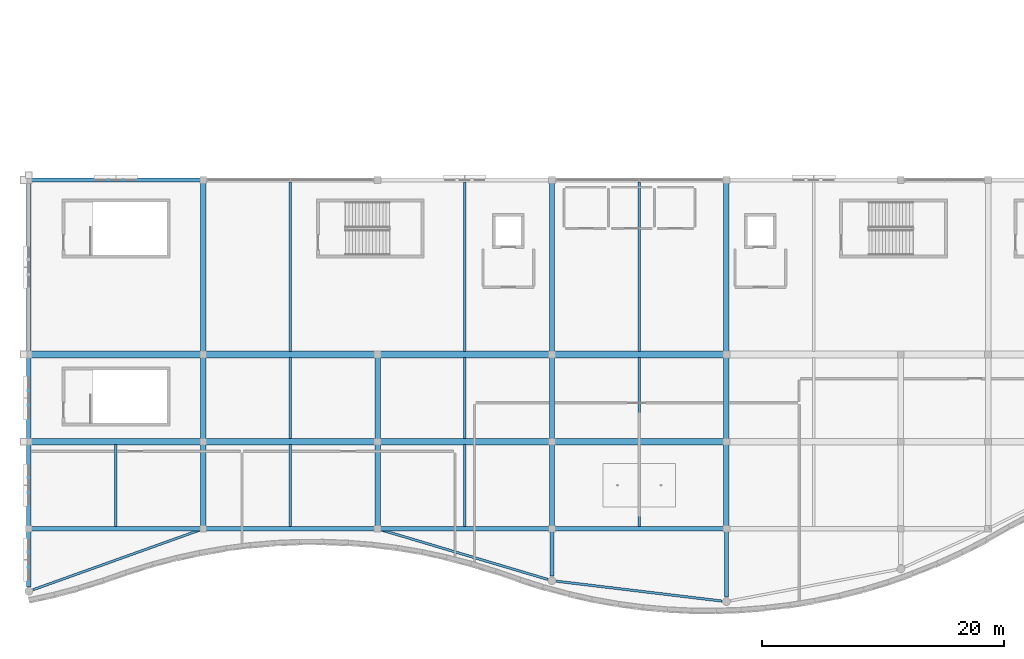
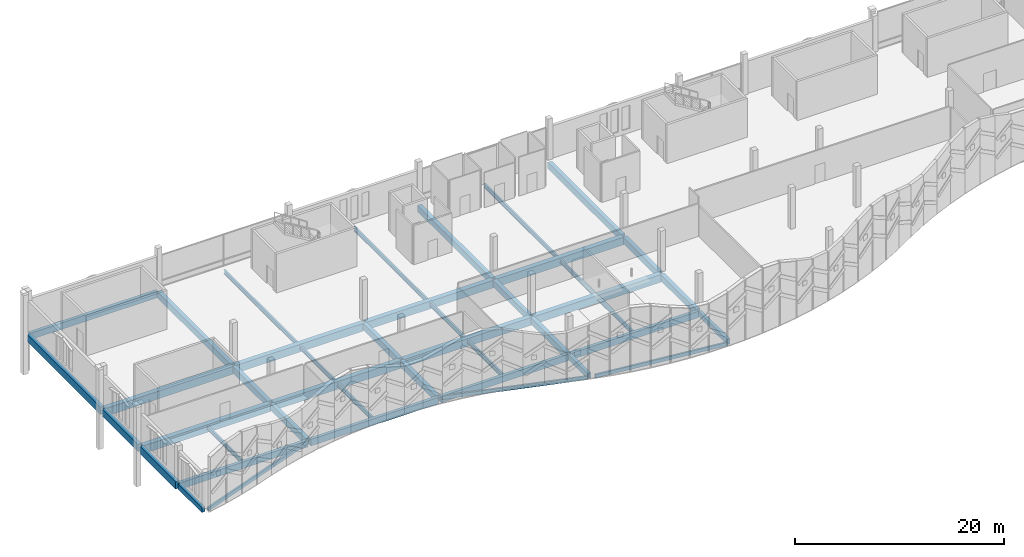
# One storey, part 14 of 116: 43 beams.
"""IFC4 building model written with IfcOpenShell, lengths in metres."""

from ifc_helpers import new_model, si_unit, direction, frame, origin, origin_2d, place, context, subcontext, project, spatial, rectangle, hollow_rectangle, i_section, extrude, material, material_profile, profile_set, type_object, element, save


model = new_model("IFC4")

# Units and contexts
model_context = context("Model", 3, precision=1e-05, world=origin(), true_north=direction((0.0, 1.0)))
body_context = subcontext(model_context, "Body", "Model", "MODEL_VIEW")
ifc_project = project(units=[si_unit("LENGTHUNIT", "METRE"), si_unit("AREAUNIT", "SQUARE_METRE"), si_unit("VOLUMEUNIT", "CUBIC_METRE"), si_unit("PLANEANGLEUNIT", "RADIAN"), si_unit("MASSUNIT", "GRAM", prefix="KILO")], contexts=[model_context])

# Site, building, storey
site_placement = place(None, origin())
site = spatial("IfcSite", under=ifc_project, at=site_placement, CompositionType="ELEMENT")
building_placement = place(site_placement, origin())
building = spatial("IfcBuilding", under=site, at=building_placement, Name="Cendralis Lancet Convention Centre", CompositionType="ELEMENT")
storey_placement = place(building_placement, frame((0.0, 0.0, 15.0)))
storey = spatial("IfcBuildingStorey", under=building, at=storey_placement, Name="L03", CompositionType="ELEMENT", Elevation=15.0)

# Beams
ifc_material_1 = material(Name="Concrete G40 (C40/50)", Category="concrete")
ifc_material_profile_1 = material_profile(ifc_material_1, rectangle(XDim=0.550048828125, YDim=0.89990234375, at=origin_2d()), Name="RCB 550x900")
ifc_profile_set_1 = profile_set([ifc_material_profile_1], Name="Concrete G40 (C40/50)")
beam_type_1 = type_object("IfcBeamType", Name="STR-BM-BG06", PredefinedType="BEAM", material=ifc_profile_set_1)
beam_1_placement = place(storey_placement, frame((0.14990234375, 14.39990234375, -0.7099609375), z_axis=(1.0, 0.0, 0.0), x_axis=(0.0, 1.0, 0.0)))
element("IfcBeam", 1, at=beam_1_placement, inside=storey, type_object=beam_type_1, Name="L03 Beam BG06 #0902", PredefinedType="BEAM", context=body_context, shape_type="SweptSolid", body=[
    extrude(rectangle(XDim=0.550048828125, YDim=0.89990234375, at=origin_2d()), origin(), (0.0, 0.0, 1.0), 14.10009765625),
])
beam_2_placement = place(storey_placement, frame((14.550048828125, 14.39990234375, -0.7099609375), z_axis=(1.0, 0.0, 0.0), x_axis=(0.0, 1.0, 0.0)))
element("IfcBeam", 2, at=beam_2_placement, inside=storey, type_object=beam_type_1, Name="L03 Beam BG06 #0903", PredefinedType="BEAM", context=body_context, shape_type="SweptSolid", body=[
    extrude(rectangle(XDim=0.550048828125, YDim=0.89990234375, at=origin_2d()), origin(), (0.0, 0.0, 1.0), 14.099853515625),
])
beam_3_placement = place(storey_placement, frame((28.949951171875, 14.39990234375, -0.7099609375), z_axis=(1.0, 0.0, 0.0), x_axis=(0.0, 1.0, 0.0)))
element("IfcBeam", 3, at=beam_3_placement, inside=storey, type_object=beam_type_1, Name="L03 Beam BG06 #0904", PredefinedType="BEAM", context=body_context, shape_type="SweptSolid", body=[
    extrude(rectangle(XDim=0.550048828125, YDim=0.89990234375, at=origin_2d()), origin(), (0.0, 0.0, 1.0), 14.10009765625),
])
beam_4_placement = place(storey_placement, frame((43.35009765625, 14.39990234375, -0.7099609375), z_axis=(1.0, 0.0, 0.0), x_axis=(0.0, 1.0, 0.0)))
element("IfcBeam", 4, at=beam_4_placement, inside=storey, type_object=beam_type_1, Name="L03 Beam BG06 #0905", PredefinedType="BEAM", context=body_context, shape_type="SweptSolid", body=[
    extrude(rectangle(XDim=0.550048828125, YDim=0.89990234375, at=origin_2d()), origin(), (0.0, 0.0, 1.0), 14.099853515625),
])
beam_5_placement = place(storey_placement, frame((0.14990234375, 21.60009765625, -0.7099609375), z_axis=(1.0, 0.0, 0.0), x_axis=(0.0, 1.0, 0.0)))
element("IfcBeam", 5, at=beam_5_placement, inside=storey, type_object=beam_type_1, Name="L03 Beam BG06 #0912", PredefinedType="BEAM", context=body_context, shape_type="SweptSolid", body=[
    extrude(rectangle(XDim=0.550048828125, YDim=0.89990234375, at=origin_2d()), origin(), (0.0, 0.0, 1.0), 14.10009765625),
])
beam_6_placement = place(storey_placement, frame((14.550048828125, 21.60009765625, -0.7099609375), z_axis=(1.0, 0.0, 0.0), x_axis=(0.0, 1.0, 0.0)))
element("IfcBeam", 6, at=beam_6_placement, inside=storey, type_object=beam_type_1, Name="L03 Beam BG06 #0913", PredefinedType="BEAM", context=body_context, shape_type="SweptSolid", body=[
    extrude(rectangle(XDim=0.550048828125, YDim=0.89990234375, at=origin_2d()), origin(), (0.0, 0.0, 1.0), 14.099853515625),
])
beam_7_placement = place(storey_placement, frame((28.949951171875, 21.60009765625, -0.7099609375), z_axis=(1.0, 0.0, 0.0), x_axis=(0.0, 1.0, 0.0)))
element("IfcBeam", 7, at=beam_7_placement, inside=storey, type_object=beam_type_1, Name="L03 Beam BG06 #0914", PredefinedType="BEAM", context=body_context, shape_type="SweptSolid", body=[
    extrude(rectangle(XDim=0.550048828125, YDim=0.89990234375, at=origin_2d()), origin(), (0.0, 0.0, 1.0), 14.10009765625),
])
beam_8_placement = place(storey_placement, frame((43.35009765625, 21.60009765625, -0.7099609375), z_axis=(1.0, 0.0, 0.0), x_axis=(0.0, 1.0, 0.0)))
element("IfcBeam", 8, at=beam_8_placement, inside=storey, type_object=beam_type_1, Name="L03 Beam BG06 #0915", PredefinedType="BEAM", context=body_context, shape_type="SweptSolid", body=[
    extrude(rectangle(XDim=0.550048828125, YDim=0.89990234375, at=origin_2d()), origin(), (0.0, 0.0, 1.0), 14.099853515625),
])
ifc_material_2 = material(Name="Concrete G35 (C35/45)", Category="concrete")
ifc_material_profile_2 = material_profile(ifc_material_2, rectangle(XDim=0.449951171875, YDim=0.75, at=origin_2d()), Name="RCB 450x750")
ifc_profile_set_2 = profile_set([ifc_material_profile_2], Name="Concrete G35 (C35/45)")
beam_type_2 = type_object("IfcBeamType", Name="STR-BM-BG11", PredefinedType="BEAM", material=ifc_profile_set_2)
beam_9_placement = place(storey_placement, frame((14.39990234375, 7.3798828125, -0.635009765625), z_axis=(0.0, 1.0, 0.0), x_axis=(-1.0, 0.0, 0.0)))
element("IfcBeam", 9, at=beam_9_placement, inside=storey, type_object=beam_type_2, Name="L03 Beam BG11 #0935", PredefinedType="BEAM", context=body_context, shape_type="SweptSolid", body=[
    extrude(rectangle(XDim=0.449951171875, YDim=0.75, at=origin_2d()), origin(), (0.0, 0.0, 1.0), 6.840087890625),
])
beam_10_placement = place(storey_placement, frame((14.39990234375, 14.580078125, -0.635009765625), z_axis=(0.0, 1.0, 0.0), x_axis=(-1.0, 0.0, 0.0)))
element("IfcBeam", 10, at=beam_10_placement, inside=storey, type_object=beam_type_2, Name="L03 Beam BG11 #0936", PredefinedType="BEAM", context=body_context, shape_type="SweptSolid", body=[
    extrude(rectangle(XDim=0.449951171875, YDim=0.75, at=origin_2d()), origin(), (0.0, 0.0, 1.0), 6.83984375),
])
beam_11_placement = place(storey_placement, frame((14.39990234375, 21.780029296875, -0.635009765625), z_axis=(0.0, 1.0, 0.0), x_axis=(-1.0, 0.0, 0.0)))
element("IfcBeam", 11, at=beam_11_placement, inside=storey, type_object=beam_type_2, Name="L03 Beam BG11 #0937", PredefinedType="BEAM", context=body_context, shape_type="SweptSolid", body=[
    extrude(rectangle(XDim=0.449951171875, YDim=0.75, at=origin_2d()), origin(), (0.0, 0.0, 1.0), 14.0400390625),
])
beam_12_placement = place(storey_placement, frame((28.800048828125, 7.3798828125, -0.635009765625), z_axis=(0.0, 1.0, 0.0), x_axis=(-1.0, 0.0, 0.0)))
element("IfcBeam", 12, at=beam_12_placement, inside=storey, type_object=beam_type_2, Name="L03 Beam BG11 #0938", PredefinedType="BEAM", context=body_context, shape_type="SweptSolid", body=[
    extrude(rectangle(XDim=0.449951171875, YDim=0.75, at=origin_2d()), origin(), (0.0, 0.0, 1.0), 6.840087890625),
])
beam_13_placement = place(storey_placement, frame((28.800048828125, 14.580078125, -0.635009765625), z_axis=(0.0, 1.0, 0.0), x_axis=(-1.0, 0.0, 0.0)))
element("IfcBeam", 13, at=beam_13_placement, inside=storey, type_object=beam_type_2, Name="L03 Beam BG11 #0939", PredefinedType="BEAM", context=body_context, shape_type="SweptSolid", body=[
    extrude(rectangle(XDim=0.449951171875, YDim=0.75, at=origin_2d()), origin(), (0.0, 0.0, 1.0), 6.83984375),
])
beam_14_placement = place(storey_placement, frame((43.199951171875, 7.3798828125, -0.635009765625), z_axis=(0.0, 1.0, 0.0), x_axis=(-1.0, 0.0, 0.0)))
element("IfcBeam", 14, at=beam_14_placement, inside=storey, type_object=beam_type_2, Name="L03 Beam BG11 #0940", PredefinedType="BEAM", context=body_context, shape_type="SweptSolid", body=[
    extrude(rectangle(XDim=0.449951171875, YDim=0.75, at=origin_2d()), origin(), (0.0, 0.0, 1.0), 6.840087890625),
])
beam_15_placement = place(storey_placement, frame((43.199951171875, 14.580078125, -0.635009765625), z_axis=(0.0, 1.0, 0.0), x_axis=(-1.0, 0.0, 0.0)))
element("IfcBeam", 15, at=beam_15_placement, inside=storey, type_object=beam_type_2, Name="L03 Beam BG11 #0941", PredefinedType="BEAM", context=body_context, shape_type="SweptSolid", body=[
    extrude(rectangle(XDim=0.449951171875, YDim=0.75, at=origin_2d()), origin(), (0.0, 0.0, 1.0), 6.83984375),
])
beam_16_placement = place(storey_placement, frame((43.199951171875, 21.780029296875, -0.635009765625), z_axis=(0.0, 1.0, 0.0), x_axis=(-1.0, 0.0, 0.0)))
element("IfcBeam", 16, at=beam_16_placement, inside=storey, type_object=beam_type_2, Name="L03 Beam BG11 #0942", PredefinedType="BEAM", context=body_context, shape_type="SweptSolid", body=[
    extrude(rectangle(XDim=0.449951171875, YDim=0.75, at=origin_2d()), origin(), (0.0, 0.0, 1.0), 14.0400390625),
])
beam_17_placement = place(storey_placement, frame((57.60009765625, 7.3798828125, -0.635009765625), z_axis=(0.0, 1.0, 0.0), x_axis=(-1.0, 0.0, 0.0)))
element("IfcBeam", 17, at=beam_17_placement, inside=storey, type_object=beam_type_2, Name="L03 Beam BG11 #0943", PredefinedType="BEAM", context=body_context, shape_type="SweptSolid", body=[
    extrude(rectangle(XDim=0.449951171875, YDim=0.75, at=origin_2d()), origin(), (0.0, 0.0, 1.0), 6.840087890625),
])
beam_18_placement = place(storey_placement, frame((57.60009765625, 14.580078125, -0.635009765625), z_axis=(0.0, 1.0, 0.0), x_axis=(-1.0, 0.0, 0.0)))
element("IfcBeam", 18, at=beam_18_placement, inside=storey, type_object=beam_type_2, Name="L03 Beam BG11 #0944", PredefinedType="BEAM", context=body_context, shape_type="SweptSolid", body=[
    extrude(rectangle(XDim=0.449951171875, YDim=0.75, at=origin_2d()), origin(), (0.0, 0.0, 1.0), 6.83984375),
])
beam_19_placement = place(storey_placement, frame((57.60009765625, 21.780029296875, -0.635009765625), z_axis=(0.0, 1.0, 0.0), x_axis=(-1.0, 0.0, 0.0)))
element("IfcBeam", 19, at=beam_19_placement, inside=storey, type_object=beam_type_2, Name="L03 Beam BG11 #0945", PredefinedType="BEAM", context=body_context, shape_type="SweptSolid", body=[
    extrude(rectangle(XDim=0.449951171875, YDim=0.75, at=origin_2d()), origin(), (0.0, 0.0, 1.0), 14.0400390625),
])
ifc_material_profile_3 = material_profile(ifc_material_2, rectangle(XDim=0.35009765625, YDim=0.60009765625, at=origin_2d()), Name="RCB 350x600")
ifc_profile_set_3 = profile_set([ifc_material_profile_3], Name="Concrete G35 (C35/45)")
beam_type_3 = type_object("IfcBeamType", Name="STR-BM-BG16", PredefinedType="BEAM", material=ifc_profile_set_3)
beam_20_placement = place(storey_placement, frame((0.0, 2.42041015625, -0.56005859375), z_axis=(0.0, 1.0, 0.0), x_axis=(-1.0, 0.0, 0.0)))
element("IfcBeam", 20, at=beam_20_placement, inside=storey, type_object=beam_type_3, Name="L03 Beam BG16 #1101", PredefinedType="BEAM", context=body_context, shape_type="SweptSolid", body=[
    extrude(rectangle(XDim=0.35009765625, YDim=0.60009765625, at=origin_2d()), origin(), (0.0, 0.0, 1.0), 4.599609375),
])
beam_21_placement = place(storey_placement, frame((43.199951171875, 3.296630859375, -0.56005859375), z_axis=(0.0, 1.0, 0.0), x_axis=(-1.0, 0.0, 0.0)))
element("IfcBeam", 21, at=beam_21_placement, inside=storey, type_object=beam_type_3, Name="L03 Beam BG16 #1102", PredefinedType="BEAM", context=body_context, shape_type="SweptSolid", body=[
    extrude(rectangle(XDim=0.35009765625, YDim=0.60009765625, at=origin_2d()), origin(), (0.0, 0.0, 1.0), 3.723388671875),
])
beam_22_placement = place(storey_placement, frame((57.60009765625, 1.570068359375, -0.56005859375), z_axis=(0.0, 1.0, 0.0), x_axis=(-1.0, 0.0, 0.0)))
element("IfcBeam", 22, at=beam_22_placement, inside=storey, type_object=beam_type_3, Name="L03 Beam BG16 #1103", PredefinedType="BEAM", context=body_context, shape_type="SweptSolid", body=[
    extrude(rectangle(XDim=0.35009765625, YDim=0.60009765625, at=origin_2d()), origin(), (0.0, 0.0, 1.0), 5.449951171875),
])
ifc_material_3 = material(Name="Steel S355", Category="steel")
ifc_material_profile_4 = material_profile(ifc_material_3, i_section(OverallWidth=0.199951171875, OverallDepth=0.5, WebThickness=0.01025390625, FlangeThickness=0.01611328125, FilletRadius=0.02099609375, at=origin_2d()), Name="IPE 500")
ifc_profile_set_4 = profile_set([ifc_material_profile_4], Name="Steel S355")
beam_type_4 = type_object("IfcBeamType", Name="STR-JS-BJ06", PredefinedType="JOIST", material=ifc_profile_set_4)
for number, where, z_axis, x_axis, name in (
    (23, (7.199951171875, 7.375, -0.510009765625), (0.0, 1.0, 0.0), (-1.0, 0.0, 0.0), "L03 Beam BJ06 #0959"),
    (24, (21.60009765625, 7.375, -0.510009765625), (0.0, 1.0, 0.0), (-1.0, 0.0, 0.0), "L03 Beam BJ06 #0960"),
):
    element("IfcBeam", number, at=place(storey_placement, frame(where, z_axis=z_axis, x_axis=x_axis)), inside=storey, type_object=beam_type_4, Name=name, PredefinedType="JOIST", context=body_context, shape_type="SweptSolid", body=[
        extrude(i_section(OverallWidth=0.199951171875, OverallDepth=0.5, WebThickness=0.01025390625, FlangeThickness=0.01611328125, FilletRadius=0.02099609375, at=origin_2d()), origin(), (0.0, 0.0, 1.0), 6.77490234375),
    ])
beam_23_placement = place(storey_placement, frame((21.60009765625, 14.64990234375, -0.510009765625), z_axis=(0.0, 1.0, 0.0), x_axis=(-1.0, 0.0, 0.0)))
element("IfcBeam", 25, at=beam_23_placement, inside=storey, type_object=beam_type_4, Name="L03 Beam BJ06 #0961", PredefinedType="JOIST", context=body_context, shape_type="SweptSolid", body=[
    extrude(i_section(OverallWidth=0.199951171875, OverallDepth=0.5, WebThickness=0.01025390625, FlangeThickness=0.01611328125, FilletRadius=0.02099609375, at=origin_2d()), origin(), (0.0, 0.0, 1.0), 6.7001953125),
])
beam_24_placement = place(storey_placement, frame((21.60009765625, 21.85009765625, -0.510009765625), z_axis=(0.0, 1.0, 0.0), x_axis=(-1.0, 0.0, 0.0)))
element("IfcBeam", 26, at=beam_24_placement, inside=storey, type_object=beam_type_4, Name="L03 Beam BJ06 #0962", PredefinedType="JOIST", context=body_context, shape_type="SweptSolid", body=[
    extrude(i_section(OverallWidth=0.199951171875, OverallDepth=0.5, WebThickness=0.01025390625, FlangeThickness=0.01611328125, FilletRadius=0.02099609375, at=origin_2d()), origin(), (0.0, 0.0, 1.0), 13.974853515625),
])
beam_25_placement = place(storey_placement, frame((36.0, 7.375, -0.510009765625), z_axis=(0.0, 1.0, 0.0), x_axis=(-1.0, 0.0, 0.0)))
element("IfcBeam", 27, at=beam_25_placement, inside=storey, type_object=beam_type_4, Name="L03 Beam BJ06 #0963", PredefinedType="JOIST", context=body_context, shape_type="SweptSolid", body=[
    extrude(i_section(OverallWidth=0.199951171875, OverallDepth=0.5, WebThickness=0.01025390625, FlangeThickness=0.01611328125, FilletRadius=0.02099609375, at=origin_2d()), origin(), (0.0, 0.0, 1.0), 6.77490234375),
])
beam_26_placement = place(storey_placement, frame((36.0, 14.64990234375, -0.510009765625), z_axis=(0.0, 1.0, 0.0), x_axis=(-1.0, 0.0, 0.0)))
element("IfcBeam", 28, at=beam_26_placement, inside=storey, type_object=beam_type_4, Name="L03 Beam BJ06 #0964", PredefinedType="JOIST", context=body_context, shape_type="SweptSolid", body=[
    extrude(i_section(OverallWidth=0.199951171875, OverallDepth=0.5, WebThickness=0.01025390625, FlangeThickness=0.01611328125, FilletRadius=0.02099609375, at=origin_2d()), origin(), (0.0, 0.0, 1.0), 6.7001953125),
])
beam_27_placement = place(storey_placement, frame((36.0, 21.85009765625, -0.510009765625), z_axis=(0.0, 1.0, 0.0), x_axis=(-1.0, 0.0, 0.0)))
element("IfcBeam", 29, at=beam_27_placement, inside=storey, type_object=beam_type_4, Name="L03 Beam BJ06 #0965", PredefinedType="JOIST", context=body_context, shape_type="SweptSolid", body=[
    extrude(i_section(OverallWidth=0.199951171875, OverallDepth=0.5, WebThickness=0.01025390625, FlangeThickness=0.01611328125, FilletRadius=0.02099609375, at=origin_2d()), origin(), (0.0, 0.0, 1.0), 13.974853515625),
])
beam_28_placement = place(storey_placement, frame((50.39990234375, 7.375, -0.510009765625), z_axis=(0.0, 1.0, 0.0), x_axis=(-1.0, 0.0, 0.0)))
element("IfcBeam", 30, at=beam_28_placement, inside=storey, type_object=beam_type_4, Name="L03 Beam BJ06 #0966", PredefinedType="JOIST", context=body_context, shape_type="SweptSolid", body=[
    extrude(i_section(OverallWidth=0.199951171875, OverallDepth=0.5, WebThickness=0.01025390625, FlangeThickness=0.01611328125, FilletRadius=0.02099609375, at=origin_2d()), origin(), (0.0, 0.0, 1.0), 6.77490234375),
])
beam_29_placement = place(storey_placement, frame((50.39990234375, 14.64990234375, -0.510009765625), z_axis=(0.0, 1.0, 0.0), x_axis=(-1.0, 0.0, 0.0)))
element("IfcBeam", 31, at=beam_29_placement, inside=storey, type_object=beam_type_4, Name="L03 Beam BJ06 #0967", PredefinedType="JOIST", context=body_context, shape_type="SweptSolid", body=[
    extrude(i_section(OverallWidth=0.199951171875, OverallDepth=0.5, WebThickness=0.01025390625, FlangeThickness=0.01611328125, FilletRadius=0.02099609375, at=origin_2d()), origin(), (0.0, 0.0, 1.0), 6.7001953125),
])
beam_30_placement = place(storey_placement, frame((50.39990234375, 21.85009765625, -0.510009765625), z_axis=(0.0, 1.0, 0.0), x_axis=(-1.0, 0.0, 0.0)))
element("IfcBeam", 32, at=beam_30_placement, inside=storey, type_object=beam_type_4, Name="L03 Beam BJ06 #0968", PredefinedType="JOIST", context=body_context, shape_type="SweptSolid", body=[
    extrude(i_section(OverallWidth=0.199951171875, OverallDepth=0.5, WebThickness=0.01025390625, FlangeThickness=0.01611328125, FilletRadius=0.02099609375, at=origin_2d()), origin(), (0.0, 0.0, 1.0), 13.974853515625),
])
ifc_material_profile_5 = material_profile(ifc_material_1, rectangle(XDim=0.35009765625, YDim=0.75, at=origin_2d()), Name="RCB 350x750")
ifc_profile_set_5 = profile_set([ifc_material_profile_5], Name="Concrete G40 (C40/50)")
beam_type_5 = type_object("IfcBeamType", Name="STR-SP-SP01", PredefinedType="SPANDREL", material=ifc_profile_set_5)
beam_31_placement = place(storey_placement, frame((0.14990234375, 7.199951171875, -0.635009765625), z_axis=(1.0, 0.0, 0.0), x_axis=(0.0, 1.0, 0.0)))
element("IfcBeam", 33, at=beam_31_placement, inside=storey, type_object=beam_type_5, Name="L03 Beam SP01 #0896", PredefinedType="SPANDREL", context=body_context, shape_type="SweptSolid", body=[
    extrude(rectangle(XDim=0.35009765625, YDim=0.75, at=origin_2d()), origin(), (0.0, 0.0, 1.0), 14.10009765625),
])
beam_32_placement = place(storey_placement, frame((14.550048828125, 7.199951171875, -0.635009765625), z_axis=(1.0, 0.0, 0.0), x_axis=(0.0, 1.0, 0.0)))
element("IfcBeam", 34, at=beam_32_placement, inside=storey, type_object=beam_type_5, Name="L03 Beam SP01 #0897", PredefinedType="SPANDREL", context=body_context, shape_type="SweptSolid", body=[
    extrude(rectangle(XDim=0.35009765625, YDim=0.75, at=origin_2d()), origin(), (0.0, 0.0, 1.0), 14.099853515625),
])
beam_33_placement = place(storey_placement, frame((28.949951171875, 7.199951171875, -0.635009765625), z_axis=(1.0, 0.0, 0.0), x_axis=(0.0, 1.0, 0.0)))
element("IfcBeam", 35, at=beam_33_placement, inside=storey, type_object=beam_type_5, Name="L03 Beam SP01 #0898", PredefinedType="SPANDREL", context=body_context, shape_type="SweptSolid", body=[
    extrude(rectangle(XDim=0.35009765625, YDim=0.75, at=origin_2d()), origin(), (0.0, 0.0, 1.0), 14.10009765625),
])
beam_34_placement = place(storey_placement, frame((43.35009765625, 7.199951171875, -0.635009765625), z_axis=(1.0, 0.0, 0.0), x_axis=(0.0, 1.0, 0.0)))
element("IfcBeam", 36, at=beam_34_placement, inside=storey, type_object=beam_type_5, Name="L03 Beam SP01 #0899", PredefinedType="SPANDREL", context=body_context, shape_type="SweptSolid", body=[
    extrude(rectangle(XDim=0.35009765625, YDim=0.75, at=origin_2d()), origin(), (0.0, 0.0, 1.0), 14.099853515625),
])
beam_35_placement = place(storey_placement, frame((0.14990234375, 36.0, -0.635009765625), z_axis=(1.0, 0.0, 0.0), x_axis=(0.0, 1.0, 0.0)))
element("IfcBeam", 37, at=beam_35_placement, inside=storey, type_object=beam_type_5, Name="L03 Beam SP01 #0922", PredefinedType="SPANDREL", context=body_context, shape_type="SweptSolid", body=[
    extrude(rectangle(XDim=0.35009765625, YDim=0.75, at=origin_2d()), origin(), (0.0, 0.0, 1.0), 14.10009765625),
])
ifc_material_profile_6 = material_profile(ifc_material_1, rectangle(XDim=0.39990234375, YDim=0.85009765625, at=origin_2d()), Name="RCB 400x850")
ifc_profile_set_6 = profile_set([ifc_material_profile_6], Name="Concrete G40 (C40/50)")
beam_type_6 = type_object("IfcBeamType", Name="STR-SP-SP02", PredefinedType="SPANDREL", material=ifc_profile_set_6)
beam_36_placement = place(storey_placement, frame((0.0, 7.3798828125, -0.68505859375), z_axis=(0.0, 1.0, 0.0), x_axis=(-1.0, 0.0, 0.0)))
element("IfcBeam", 38, at=beam_36_placement, inside=storey, type_object=beam_type_6, Name="L03 Beam SP02 #0932", PredefinedType="SPANDREL", context=body_context, shape_type="SweptSolid", body=[
    extrude(rectangle(XDim=0.39990234375, YDim=0.85009765625, at=origin_2d()), origin(), (0.0, 0.0, 1.0), 6.840087890625),
])
beam_37_placement = place(storey_placement, frame((0.0, 14.580078125, -0.68505859375), z_axis=(0.0, 1.0, 0.0), x_axis=(-1.0, 0.0, 0.0)))
element("IfcBeam", 39, at=beam_37_placement, inside=storey, type_object=beam_type_6, Name="L03 Beam SP02 #0933", PredefinedType="SPANDREL", context=body_context, shape_type="SweptSolid", body=[
    extrude(rectangle(XDim=0.39990234375, YDim=0.85009765625, at=origin_2d()), origin(), (0.0, 0.0, 1.0), 6.83984375),
])
beam_38_placement = place(storey_placement, frame((0.0, 21.780029296875, -0.68505859375), z_axis=(0.0, 1.0, 0.0), x_axis=(-1.0, 0.0, 0.0)))
element("IfcBeam", 40, at=beam_38_placement, inside=storey, type_object=beam_type_6, Name="L03 Beam SP02 #0934", PredefinedType="SPANDREL", context=body_context, shape_type="SweptSolid", body=[
    extrude(rectangle(XDim=0.39990234375, YDim=0.85009765625, at=origin_2d()), origin(), (0.0, 0.0, 1.0), 14.0400390625),
])
ifc_material_profile_7 = material_profile(ifc_material_3, hollow_rectangle(XDim=0.199951171875, YDim=0.39990234375, WallThickness=0.01416015625, at=origin_2d()), Name="RHS 400x200x14.2")
ifc_profile_set_7 = profile_set([ifc_material_profile_7], Name="Steel S355")
beam_type_7 = type_object("IfcBeamType", Name="STR-SP-SP03", PredefinedType="SPANDREL", material=ifc_profile_set_7)
beam_39_placement = place(storey_placement, frame((0.35302734375, 2.171875, -0.4599609375), z_axis=(0.941501578881, 0.337008571056, 0.0), x_axis=(-0.337008571056, 0.941501578881, 0.0)))
element("IfcBeam", 41, at=beam_39_placement, inside=storey, type_object=beam_type_7, Name="L03 Beam SP03 #1113", PredefinedType="SPANDREL", context=body_context, shape_type="SweptSolid", body=[
    extrude(hollow_rectangle(XDim=0.199951171875, YDim=0.39990234375, WallThickness=0.01416015625, at=origin_2d()), origin(), (0.0, 0.0, 1.0), 14.769775390625),
])
beam_40_placement = place(storey_placement, frame((28.94384765625, 7.1572265625, -0.4599609375), z_axis=(0.958584457035, -0.284808424613, 0.0), x_axis=(0.284808424613, 0.958584457035, 0.0)))
element("IfcBeam", 42, at=beam_40_placement, inside=storey, type_object=beam_type_7, Name="L03 Beam SP03 #1114", PredefinedType="SPANDREL", context=body_context, shape_type="SweptSolid", body=[
    extrude(hollow_rectangle(XDim=0.199951171875, YDim=0.39990234375, WallThickness=0.01416015625, at=origin_2d()), origin(), (0.0, 0.0, 1.0), 14.4970703125),
])
beam_41_placement = place(storey_placement, frame((43.572265625, 2.876953125, -0.4599609375), z_axis=(0.99288934859, -0.119040923456, 0.0), x_axis=(0.119040923456, 0.99288934859, 0.0)))
element("IfcBeam", 43, at=beam_41_placement, inside=storey, type_object=beam_type_7, Name="L03 Beam SP03 #1115", PredefinedType="SPANDREL", context=body_context, shape_type="SweptSolid", body=[
    extrude(hollow_rectangle(XDim=0.199951171875, YDim=0.39990234375, WallThickness=0.01416015625, at=origin_2d()), origin(), (0.0, 0.0, 1.0), 13.75341796875),
])

save(model, "model.ifc")
